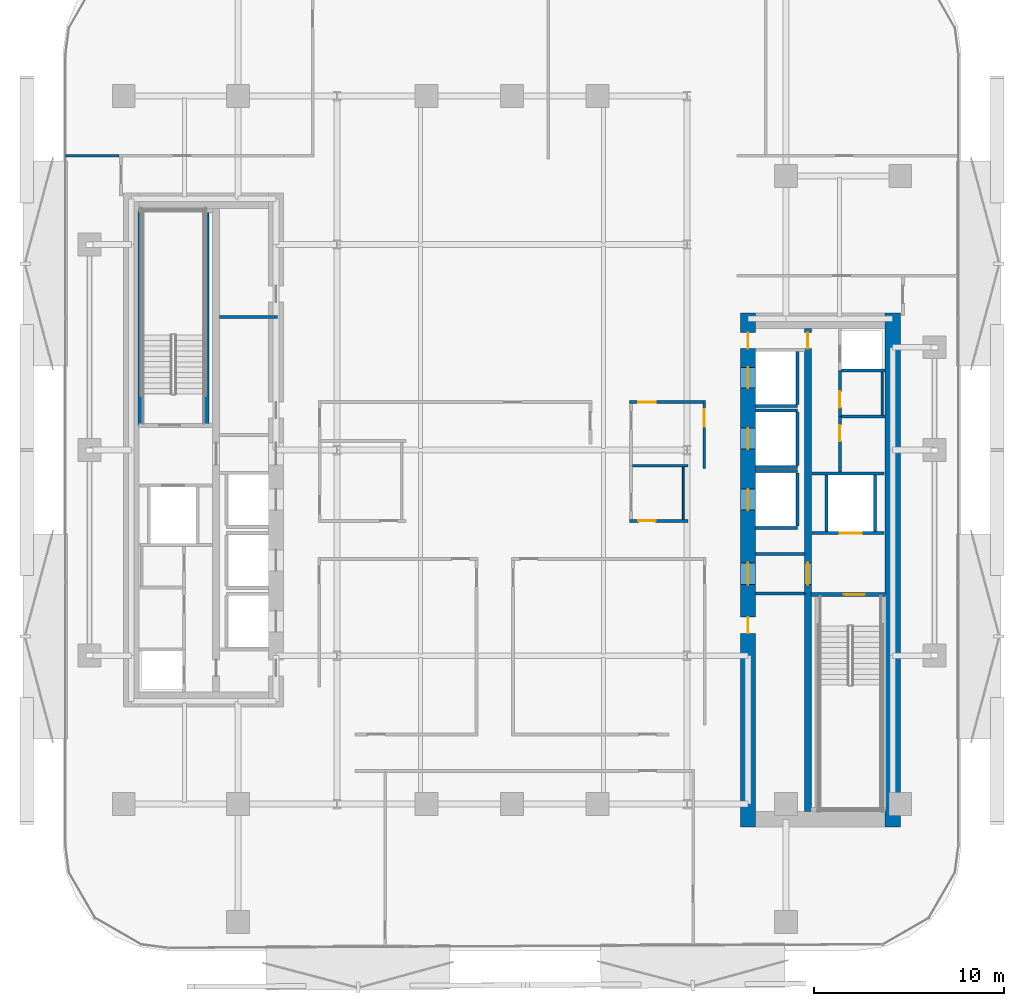
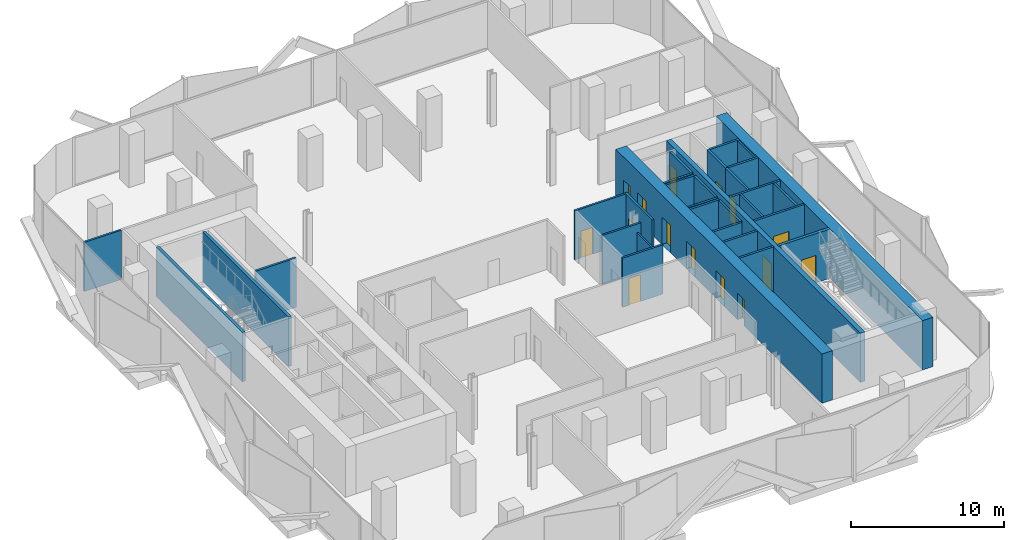
# One storey, part 5 of 15: 32 walls, 15 doors, 15 openings.
"""IFC4 building model written with IfcOpenShell, lengths in metres."""

from ifc_helpers import new_model, si_unit, direction, frame, frame_2d, origin, place, context, subcontext, project, spatial, rectangle, extrude, material, layer, layer_set, type_object, element, fill, save


model = new_model("IFC4")

# Units and contexts
model_context = context("Model", 3, precision=1e-05, world=origin(), true_north=direction((0.0, 1.0)))
body_context = subcontext(model_context, "Body", "Model", "MODEL_VIEW")
ifc_project = project(units=[si_unit("LENGTHUNIT", "METRE"), si_unit("AREAUNIT", "SQUARE_METRE"), si_unit("VOLUMEUNIT", "CUBIC_METRE"), si_unit("PLANEANGLEUNIT", "RADIAN"), si_unit("MASSUNIT", "GRAM", prefix="KILO")], contexts=[model_context])

# Site, building, storey
site_placement = place(None, origin())
site = spatial("IfcSite", under=ifc_project, at=site_placement, CompositionType="ELEMENT")
building_placement = place(site_placement, origin())
building = spatial("IfcBuilding", under=site, at=building_placement, Name="Khairoan Windgate Tower", CompositionType="ELEMENT")
storey_placement = place(building_placement, frame((0.0, 0.0, 126.800048828125)))
storey = spatial("IfcBuildingStorey", under=building, at=storey_placement, Name="L29", CompositionType="ELEMENT", Elevation=126.800048828125)

# Walls
ifc_material_1 = material(Name="Moisture-Resistant Gypsum Partition", Category="gypsum")
ifc_layer_1 = layer(ifc_material_1, 0.10009765625, Name="Moisture-Resistant Gypsum Partition")
ifc_layer_set_1 = layer_set([ifc_layer_1], Name="Moisture-Resistant Gypsum Partition")
wall_type_1 = type_object("IfcWallType", Name="Bathroom Wet-Area Partition Wall", PredefinedType="PARTITIONING", material=ifc_layer_set_1)
wall_1_placement = place(storey_placement, frame((19.449951171875, 4.090087890625, 0.0), z_axis=(0.0, 0.0, 1.0), x_axis=(0.0, -1.0, 0.0)))
element("IfcWall", 1, at=wall_1_placement, inside=storey, type_object=wall_type_1, Name="L29 Wet Room Side Wall 049", PredefinedType="PARTITIONING", context=body_context, shape_type="SweptSolid", body=[
    extrude(rectangle(XDim=2.239990234375, YDim=0.10009765625, at=frame_2d((1.1201171875, 0.0))), origin(), (0.0, 0.0, 1.0), 3.93994140625),
])
wall_2_placement = place(storey_placement, frame((9.0, -0.889892578125, 0.0), z_axis=(0.0, 0.0, 1.0), x_axis=(0.0, -1.0, 0.0)))
element("IfcWall", 2, at=wall_2_placement, inside=storey, type_object=wall_type_1, Name="L29 Wet Room Side Wall 050", PredefinedType="PARTITIONING", context=body_context, shape_type="SweptSolid", body=[
    extrude(rectangle(XDim=2.755126953125, YDim=0.10009765625, at=frame_2d((1.37744140625, 0.0))), origin(), (0.0, 0.0, 1.0), 3.239990234375),
])
ifc_material_2 = material(Name="Concrete C40/50", Category="concrete")
ifc_layer_2 = layer(ifc_material_2, 0.159912109375, Name="Concrete C40/50")
ifc_layer_set_2 = layer_set([ifc_layer_2], Name="Concrete C40/50")
wall_type_2 = type_object("IfcWallType", Name="Core and Hoistway Enclosure Wall", PredefinedType="STANDARD", material=ifc_layer_set_2)
wall_3_placement = place(storey_placement, frame((12.800048828125, 2.31005859375, 0.0), z_axis=(0.0, 0.0, 1.0), x_axis=(1.0, 0.0, 0.0)))
element("IfcWall", 3, at=wall_3_placement, inside=storey, type_object=wall_type_2, Name="L29 Lift PL7 Hoistway Divider S", PredefinedType="STANDARD", context=body_context, shape_type="SweptSolid", body=[
    extrude(rectangle(XDim=2.18994140625, YDim=0.159912109375, at=frame_2d((1.094970703125, 0.0))), origin(), (0.0, 0.0, 1.0), 3.93994140625),
])
wall_4_placement = place(storey_placement, frame((14.989990234375, 2.39990234375, 0.0), z_axis=(0.0, 0.0, 1.0), x_axis=(0.0, 1.0, 0.0)))
element("IfcWall", 4, at=wall_4_placement, inside=storey, type_object=wall_type_2, Name="L29 Lift PL7 Hoistway Back Wall", PredefinedType="STANDARD", context=body_context, shape_type="SweptSolid", body=[
    extrude(rectangle(XDim=2.800048828125, YDim=0.159912109375, at=frame_2d((1.39990234375, 0.0))), origin(), (0.0, 0.0, 1.0), 3.93994140625),
])
for number, where, z_axis, x_axis, name in (
    (5, (12.800048828125, -0.889892578125, 0.0), (0.0, 0.0, 1.0), (1.0, 0.0, 0.0), "L29 Lift PL8 Hoistway Divider S"),
    (6, (12.800048828125, 2.090087890625, 0.0), (0.0, 0.0, 1.0), (1.0, 0.0, 0.0), "L29 Lift PL8 Hoistway Divider N"),
):
    element("IfcWall", number, at=place(storey_placement, frame(where, z_axis=z_axis, x_axis=x_axis)), inside=storey, type_object=wall_type_2, Name=name, PredefinedType="STANDARD", context=body_context, shape_type="SweptSolid", body=[
        extrude(rectangle(XDim=2.18994140625, YDim=0.159912109375, at=frame_2d((1.094970703125, 0.0))), origin(), (0.0, 0.0, 1.0), 3.93994140625),
    ])
wall_5_placement = place(storey_placement, frame((14.989990234375, -0.800048828125, 0.0), z_axis=(0.0, 0.0, 1.0), x_axis=(0.0, 1.0, 0.0)))
element("IfcWall", 7, at=wall_5_placement, inside=storey, type_object=wall_type_2, Name="L29 Lift PL8 Hoistway Back Wall", PredefinedType="STANDARD", context=body_context, shape_type="SweptSolid", body=[
    extrude(rectangle(XDim=2.800048828125, YDim=0.159912109375, at=frame_2d((1.39990234375, 0.0))), origin(), (0.0, 0.0, 1.0), 3.93994140625),
])
for number, where, z_axis, x_axis, name in (
    (8, (12.800048828125, -4.090087890625, 0.0), (0.0, 0.0, 1.0), (1.0, 0.0, 0.0), "L29 Lift PL9 Hoistway Divider S"),
    (9, (12.800048828125, -1.110107421875, 0.0), (0.0, 0.0, 1.0), (1.0, 0.0, 0.0), "L29 Lift PL9 Hoistway Divider N"),
):
    element("IfcWall", number, at=place(storey_placement, frame(where, z_axis=z_axis, x_axis=x_axis)), inside=storey, type_object=wall_type_2, Name=name, PredefinedType="STANDARD", context=body_context, shape_type="SweptSolid", body=[
        extrude(rectangle(XDim=2.18994140625, YDim=0.159912109375, at=frame_2d((1.094970703125, 0.0))), origin(), (0.0, 0.0, 1.0), 3.93994140625),
    ])
wall_6_placement = place(storey_placement, frame((14.989990234375, -4.0, 0.0), z_axis=(0.0, 0.0, 1.0), x_axis=(0.0, 1.0, 0.0)))
element("IfcWall", 10, at=wall_6_placement, inside=storey, type_object=wall_type_2, Name="L29 Lift PL9 Hoistway Back Wall", PredefinedType="STANDARD", context=body_context, shape_type="SweptSolid", body=[
    extrude(rectangle(XDim=2.800048828125, YDim=0.159912109375, at=frame_2d((1.39990234375, 0.0))), origin(), (0.0, 0.0, 1.0), 3.93994140625),
])

# Wall, opening, door
wall_7_placement = place(storey_placement, frame((15.75, -4.360107421875, 0.0), z_axis=(0.0, 0.0, 1.0), x_axis=(1.0, 0.0, 0.0)))
wall_7 = element("IfcWall", 11, at=wall_7_placement, inside=storey, type_object=wall_type_2, Name="L29 Core Shaft Wall SW-FL1-L29", PredefinedType="STANDARD", context=body_context, shape_type="SweptSolid", body=[
    extrude(rectangle(XDim=3.800048828125, YDim=0.159912109375, at=frame_2d((1.89990234375, 0.0))), origin(), (0.0, 0.0, 1.0), 3.93994140625),
])
opening_1_placement = place(wall_7_placement, frame((1.469970703125, 0.0, 0.0)))
opening_1 = element("IfcOpeningElement", 12, at=opening_1_placement, cuts=wall_7, Name="Opening LD-FL", PredefinedType="OPENING", context=body_context, shape_type="SweptSolid", body=[
    extrude(rectangle(XDim=1.14990234375, YDim=2.199951171875, at=frame_2d((0.574951171875, 1.10009765625))), frame((0.0, 0.08984375, 0.0), z_axis=(0.0, -1.0, 0.0), x_axis=(1.0, 0.0, 0.0)), (0.0, 0.0, 1.0), 0.179931640625),
])
ifc_material_3 = material(Name="Steel S355", Category="steel")
door_type_1 = type_object("IfcDoorType", Name="Firefighting Lift Sliding Landing Door LD-FL 1150x2200", OperationType="DOUBLE_DOOR_SLIDING", PredefinedType="DOOR", material=ifc_material_3)
door_1_placement = place(opening_1_placement, origin())
door_1 = element("IfcDoor", 13, at=door_1_placement, inside=storey, type_object=door_type_1, Name="L29 Firefighting Lift FL1 Landing Door", OperationType="DOUBLE_DOOR_SLIDING", OverallHeight=2.199951171875, OverallWidth=1.14990234375, PredefinedType="DOOR", context=body_context, shape_type="SweptSolid", body=[
    extrude(rectangle(XDim=1.14990234375, YDim=2.199951171875, at=frame_2d((0.574951171875, 1.10009765625))), frame((0.0, 0.02490234375, 0.0), z_axis=(0.0, -1.0, 0.0), x_axis=(1.0, 0.0, 0.0)), (0.0, 0.0, 1.0), 0.050048828125),
])
fill(opening_1, door_1)

# Walls
wall_8_placement = place(storey_placement, frame((15.75, -1.219970703125, 0.0), z_axis=(0.0, 0.0, 1.0), x_axis=(1.0, 0.0, 0.0)))
element("IfcWall", 14, at=wall_8_placement, inside=storey, type_object=wall_type_2, Name="L29 Core Shaft Wall SW-FL1T-L29", PredefinedType="STANDARD", context=body_context, shape_type="SweptSolid", body=[
    extrude(rectangle(XDim=3.800048828125, YDim=0.159912109375, at=frame_2d((1.89990234375, 0.0))), origin(), (0.0, 0.0, 1.0), 3.93994140625),
])
for number, where, z_axis, x_axis, name in (
    (15, (16.52001953125, -4.280029296875, 0.0), (0.0, 0.0, 1.0), (0.0, 1.0, 0.0), "L29 Core Shaft Wall SW-FL1W-L29"),
    (16, (19.080078125, -4.280029296875, 0.0), (0.0, 0.0, 1.0), (0.0, 1.0, 0.0), "L29 Core Shaft Wall SW-FL1E-L29"),
):
    element("IfcWall", number, at=place(storey_placement, frame(where, z_axis=z_axis, x_axis=x_axis)), inside=storey, type_object=wall_type_2, Name=name, PredefinedType="STANDARD", context=body_context, shape_type="SweptSolid", body=[
        extrude(rectangle(XDim=2.97998046875, YDim=0.159912109375, at=frame_2d((1.489990234375, 0.0))), origin(), (0.0, 0.0, 1.0), 3.93994140625),
    ])
for number, where, z_axis, x_axis, name in (
    (17, (12.800048828125, -5.449951171875, 0.0), (0.0, 0.0, 1.0), (1.0, 0.0, 0.0), "L29 Core Shaft Wall SW-EV1-L29"),
    (18, (12.800048828125, -7.5400390625, 0.0), (0.0, 0.0, 1.0), (1.0, 0.0, 0.0), "L29 Core Shaft Wall SW-EV2-L29"),
):
    element("IfcWall", number, at=place(storey_placement, frame(where, z_axis=z_axis, x_axis=x_axis)), inside=storey, type_object=wall_type_2, Name=name, PredefinedType="STANDARD", context=body_context, shape_type="SweptSolid", body=[
        extrude(rectangle(XDim=2.599853515625, YDim=0.159912109375, at=frame_2d((1.2998046875, 0.0))), origin(), (0.0, 0.0, 1.0), 3.93994140625),
    ])
ifc_material_4 = material(Name="Acoustic Fire-Rated Gypsum Partition", Category="gypsum")
ifc_layer_3 = layer(ifc_material_4, 0.139892578125, Name="Acoustic Fire-Rated Gypsum Partition")
ifc_layer_set_3 = layer_set([ifc_layer_3], Name="Acoustic Fire-Rated Gypsum Partition")
wall_type_3 = type_object("IfcWallType", Name="Inter-Tenancy Compartment Wall", PredefinedType="PARTITIONING", material=ifc_layer_set_3)
wall_9_placement = place(storey_placement, frame((-23.455078125, 15.4599609375, 0.0), z_axis=(0.0, 0.0, 1.0), x_axis=(1.0, 0.0, 0.0)))
element("IfcWall", 19, at=wall_9_placement, inside=storey, type_object=wall_type_3, Name="L29 Interior Partition 037", PredefinedType="PARTITIONING", context=body_context, shape_type="SweptSolid", body=[
    extrude(rectangle(XDim=2.815185546875, YDim=0.139892578125, at=frame_2d((1.40771484375, 0.0))), origin(), (0.0, 0.0, 1.0), 3.93994140625),
])
wall_10_placement = place(storey_placement, frame((6.330078125, -0.820068359375, 0.0), z_axis=(0.0, 0.0, 1.0), x_axis=(1.0, 0.0, 0.0)))
element("IfcWall", 20, at=wall_10_placement, inside=storey, type_object=wall_type_3, Name="L29 Interior Partition 046", PredefinedType="PARTITIONING", context=body_context, shape_type="SweptSolid", body=[
    extrude(rectangle(XDim=2.909912109375, YDim=0.139892578125, at=frame_2d((1.455078125, 0.0))), origin(), (0.0, 0.0, 1.0), 3.93994140625),
])
ifc_material_5 = material(Name="Concrete C40/50", Category="concrete")
ifc_layer_4 = layer(ifc_material_5, 0.159912109375, Name="Concrete C40/50")
ifc_layer_set_4 = layer_set([ifc_layer_4], Name="Concrete C40/50")
wall_type_4 = type_object("IfcWallType", Name="Plant and Refuge Compartment Wall", PredefinedType="PARTITIONING", material=ifc_layer_set_4)
wall_11_placement = place(storey_placement, frame((-15.375, 7.0, 0.0), z_axis=(0.0, 0.0, 1.0), x_axis=(1.0, 0.0, 0.0)))
element("IfcWall", 21, at=wall_11_placement, inside=storey, type_object=wall_type_4, Name="L29 Interior Partition 006", PredefinedType="PARTITIONING", context=body_context, shape_type="SweptSolid", body=[
    extrude(rectangle(XDim=3.06494140625, YDim=0.159912109375, at=frame_2d((1.532470703125, 0.0))), origin(), (0.0, 0.0, 1.0), 3.93994140625),
])

# Wall, opening, door
wall_12_placement = place(storey_placement, frame((17.22998046875, 1.77001953125, 0.0), z_axis=(0.0, 0.0, 1.0), x_axis=(0.0, 1.0, 0.0)))
wall_12 = element("IfcWall", 22, at=wall_12_placement, inside=storey, type_object=wall_type_4, Name="L29 Interior Partition 008", PredefinedType="PARTITIONING", context=body_context, shape_type="SweptSolid", body=[
    extrude(rectangle(XDim=2.39990234375, YDim=0.159912109375, at=frame_2d((1.199951171875, 0.0))), origin(), (0.0, 0.0, 1.0), 3.93994140625),
])
opening_2_placement = place(wall_12_placement, frame((0.4599609375, 0.0, 0.0)))
opening_2 = element("IfcOpeningElement", 23, at=opening_2_placement, cuts=wall_12, Name="Opening FD-SRV", PredefinedType="OPENING", context=body_context, shape_type="SweptSolid", body=[
    extrude(rectangle(XDim=0.85009765625, YDim=2.10009765625, at=frame_2d((0.425048828125, 1.050048828125))), frame((0.0, 0.08984375, 0.0), z_axis=(0.0, -1.0, 0.0), x_axis=(1.0, 0.0, 0.0)), (0.0, 0.0, 1.0), 0.179931640625),
])
ifc_material_6 = material(Name="Steel S355", Category="steel")
door_type_2 = type_object("IfcDoorType", Name="Core Service and Riser Fire Door FD-SRV 850x2100", OperationType="NOTDEFINED", PredefinedType="DOOR", material=ifc_material_6)
door_2_placement = place(opening_2_placement, origin())
door_2 = element("IfcDoor", 24, at=door_2_placement, inside=storey, type_object=door_type_2, Name="L29 L29-18-L29-20 Door", OperationType="SINGLE_SWING_LEFT", OverallHeight=2.10009765625, OverallWidth=0.85009765625, PredefinedType="DOOR", context=body_context, shape_type="SweptSolid", body=[
    extrude(rectangle(XDim=0.85009765625, YDim=2.10009765625, at=frame_2d((0.425048828125, 1.050048828125))), frame((0.0, 0.02490234375, 0.0), z_axis=(0.0, -1.0, 0.0), x_axis=(1.0, 0.0, 0.0)), (0.0, 0.0, 1.0), 0.050048828125),
])
fill(opening_2, door_2)

wall_13_placement = place(storey_placement, frame((17.22998046875, -1.139892578125, 0.0), z_axis=(0.0, 0.0, 1.0), x_axis=(0.0, 1.0, 0.0)))
wall_13 = element("IfcWall", 25, at=wall_13_placement, inside=storey, type_object=wall_type_4, Name="L29 Interior Partition 009", PredefinedType="PARTITIONING", context=body_context, shape_type="SweptSolid", body=[
    extrude(rectangle(XDim=2.909912109375, YDim=0.159912109375, at=frame_2d((1.455078125, 0.0))), origin(), (0.0, 0.0, 1.0), 3.93994140625),
])
opening_3_placement = place(wall_13_placement, frame((1.60009765625, 0.0, 0.0)))
opening_3 = element("IfcOpeningElement", 26, at=opening_3_placement, cuts=wall_13, Name="Opening FD-SRV", PredefinedType="OPENING", context=body_context, shape_type="SweptSolid", body=[
    extrude(rectangle(XDim=0.85009765625, YDim=2.10009765625, at=frame_2d((0.425048828125, 1.050048828125))), frame((0.0, 0.08984375, 0.0), z_axis=(0.0, -1.0, 0.0), x_axis=(1.0, 0.0, 0.0)), (0.0, 0.0, 1.0), 0.179931640625),
])
door_3_placement = place(opening_3_placement, origin())
door_3 = element("IfcDoor", 27, at=door_3_placement, inside=storey, type_object=door_type_2, Name="L29 L29-18-L29-21 Door", OperationType="SINGLE_SWING_RIGHT", OverallHeight=2.10009765625, OverallWidth=0.85009765625, PredefinedType="DOOR", context=body_context, shape_type="SweptSolid", body=[
    extrude(rectangle(XDim=0.85009765625, YDim=2.10009765625, at=frame_2d((0.425048828125, 1.050048828125))), frame((0.0, 0.02490234375, 0.0), z_axis=(0.0, -1.0, 0.0), x_axis=(1.0, 0.0, 0.0)), (0.0, 0.0, 1.0), 0.050048828125),
])
fill(opening_3, door_3)

# Walls
for number, where, z_axis, x_axis, name in (
    (28, (17.31005859375, 4.169921875, 0.0), (0.0, 0.0, 1.0), (1.0, 0.0, 0.0), "L29 Interior Partition 010"),
    (29, (17.31005859375, 1.77001953125, 0.0), (0.0, 0.0, 1.0), (1.0, 0.0, 0.0), "L29 Interior Partition 011"),
):
    element("IfcWall", number, at=place(storey_placement, frame(where, z_axis=z_axis, x_axis=x_axis)), inside=storey, type_object=wall_type_4, Name=name, PredefinedType="PARTITIONING", context=body_context, shape_type="SweptSolid", body=[
        extrude(rectangle(XDim=2.2900390625, YDim=0.159912109375, at=frame_2d((1.14501953125, 0.0))), origin(), (0.0, 0.0, 1.0), 3.93994140625),
    ])

# Wall, opening, door
ifc_material_7 = material(Name="Acoustic Fire-Rated Gypsum Partition", Category="gypsum")
ifc_layer_5 = layer(ifc_material_7, 0.14990234375, Name="Acoustic Fire-Rated Gypsum Partition")
ifc_layer_set_5 = layer_set([ifc_layer_5], Name="Acoustic Fire-Rated Gypsum Partition")
wall_type_5 = type_object("IfcWallType", Name="Rated Corridor Partition Wall", PredefinedType="PARTITIONING", material=ifc_layer_set_5)
wall_14_placement = place(storey_placement, frame((10.10009765625, -0.97998046875, 0.0), z_axis=(0.0, 0.0, 1.0), x_axis=(0.0, 1.0, 0.0)))
wall_14 = element("IfcWall", 30, at=wall_14_placement, inside=storey, type_object=wall_type_5, Name="L29 Interior Partition 016", PredefinedType="PARTITIONING", context=body_context, shape_type="SweptSolid", body=[
    extrude(rectangle(XDim=3.574951171875, YDim=0.14990234375, at=frame_2d((1.78759765625, 0.0))), origin(), (0.0, 0.0, 1.0), 3.93994140625),
])
opening_4_placement = place(wall_14_placement, frame((2.215087890625, 0.0, 0.0)))
opening_4 = element("IfcOpeningElement", 31, at=opening_4_placement, cuts=wall_14, Name="Opening FD-ENT", PredefinedType="OPENING", context=body_context, shape_type="SweptSolid", body=[
    extrude(rectangle(XDim=0.89990234375, YDim=2.14990234375, at=frame_2d((0.449951171875, 1.074951171875))), frame((0.0, 0.0849609375, 0.0), z_axis=(0.0, -1.0, 0.0), x_axis=(1.0, 0.0, 0.0)), (0.0, 0.0, 1.0), 0.169921875),
])
ifc_material_8 = material(Name="Timber Fire-Rated Core", Category="wood")
door_type_3 = type_object("IfcDoorType", Name="Unit and Office Fire Entrance Door FD-ENT 900x2150", OperationType="NOTDEFINED", PredefinedType="DOOR", material=ifc_material_8)
door_4_placement = place(opening_4_placement, origin())
door_4 = element("IfcDoor", 32, at=door_4_placement, inside=storey, type_object=door_type_3, Name="L29 L29-29-L29-48 Door", OperationType="SINGLE_SWING_LEFT", OverallHeight=2.14990234375, OverallWidth=0.89990234375, PredefinedType="DOOR", context=body_context, shape_type="SweptSolid", body=[
    extrude(rectangle(XDim=0.89990234375, YDim=2.14990234375, at=frame_2d((0.449951171875, 1.074951171875))), frame((0.0, 0.02490234375, 0.0), z_axis=(0.0, -1.0, 0.0), x_axis=(1.0, 0.0, 0.0)), (0.0, 0.0, 1.0), 0.050048828125),
])
fill(opening_4, door_4)

wall_15_placement = place(storey_placement, frame((6.179931640625, 2.52001953125, 0.0), z_axis=(0.0, 0.0, 1.0), x_axis=(1.0, 0.0, 0.0)))
wall_15 = element("IfcWall", 33, at=wall_15_placement, inside=storey, type_object=wall_type_5, Name="L29 Interior Partition 018", PredefinedType="PARTITIONING", context=body_context, shape_type="SweptSolid", body=[
    extrude(rectangle(XDim=3.844970703125, YDim=0.14990234375, at=frame_2d((1.92236328125, 0.0))), origin(), (0.0, 0.0, 1.0), 3.93994140625),
])
opening_5_placement = place(wall_15_placement, frame((0.4599609375, 0.0, 0.0)))
opening_5 = element("IfcOpeningElement", 34, at=opening_5_placement, cuts=wall_15, Name="Opening FD-ENT", PredefinedType="OPENING", context=body_context, shape_type="SweptSolid", body=[
    extrude(rectangle(XDim=0.89990234375, YDim=2.14990234375, at=frame_2d((0.449951171875, 1.074951171875))), frame((0.0, 0.0849609375, 0.0), z_axis=(0.0, -1.0, 0.0), x_axis=(1.0, 0.0, 0.0)), (0.0, 0.0, 1.0), 0.169921875),
])
door_5_placement = place(opening_5_placement, origin())
door_5 = element("IfcDoor", 35, at=door_5_placement, inside=storey, type_object=door_type_3, Name="L29 L29-30-L29-48 Door", OperationType="SINGLE_SWING_LEFT", OverallHeight=2.14990234375, OverallWidth=0.89990234375, PredefinedType="DOOR", context=body_context, shape_type="SweptSolid", body=[
    extrude(rectangle(XDim=0.89990234375, YDim=2.14990234375, at=frame_2d((0.449951171875, 1.074951171875))), frame((0.0, 0.02490234375, 0.0), z_axis=(0.0, -1.0, 0.0), x_axis=(1.0, 0.0, 0.0)), (0.0, 0.0, 1.0), 0.050048828125),
])
fill(opening_5, door_5)

wall_16_placement = place(storey_placement, frame((6.179931640625, -3.719970703125, 0.0), z_axis=(0.0, 0.0, 1.0), x_axis=(1.0, 0.0, 0.0)))
wall_16 = element("IfcWall", 36, at=wall_16_placement, inside=storey, type_object=wall_type_5, Name="L29 Interior Partition 020", PredefinedType="PARTITIONING", context=body_context, shape_type="SweptSolid", body=[
    extrude(rectangle(XDim=3.06005859375, YDim=0.14990234375, at=frame_2d((1.530029296875, 0.0))), origin(), (0.0, 0.0, 1.0), 3.93994140625),
])
opening_6_placement = place(wall_16_placement, frame((0.4599609375, 0.0, 0.0)))
opening_6 = element("IfcOpeningElement", 37, at=opening_6_placement, cuts=wall_16, Name="Opening FD-ENT", PredefinedType="OPENING", context=body_context, shape_type="SweptSolid", body=[
    extrude(rectangle(XDim=0.89990234375, YDim=2.14990234375, at=frame_2d((0.449951171875, 1.074951171875))), frame((0.0, 0.0849609375, 0.0), z_axis=(0.0, -1.0, 0.0), x_axis=(1.0, 0.0, 0.0)), (0.0, 0.0, 1.0), 0.169921875),
])
door_6_placement = place(opening_6_placement, origin())
door_6 = element("IfcDoor", 38, at=door_6_placement, inside=storey, type_object=door_type_3, Name="L29 L29-31-L29-47 Door", OperationType="SINGLE_SWING_LEFT", OverallHeight=2.14990234375, OverallWidth=0.89990234375, PredefinedType="DOOR", context=body_context, shape_type="SweptSolid", body=[
    extrude(rectangle(XDim=0.89990234375, YDim=2.14990234375, at=frame_2d((0.449951171875, 1.074951171875))), frame((0.0, 0.02490234375, 0.0), z_axis=(0.0, -1.0, 0.0), x_axis=(1.0, 0.0, 0.0)), (0.0, 0.0, 1.0), 0.050048828125),
])
fill(opening_6, door_6)

# Wall, openings, doors
ifc_material_9 = material(Name="Concrete C70/85", Category="concrete")
ifc_layer_6 = layer(ifc_material_9, 0.800048828125, Name="Concrete C70/85")
ifc_layer_set_6 = layer_set([ifc_layer_6], Name="Concrete C70/85")
wall_type_6 = type_object("IfcWallType", Name="Shear Wall CW-E1 800mm", PredefinedType="SHEAR", material=ifc_layer_set_6)
wall_17_placement = place(storey_placement, frame((12.39990234375, -19.800048828125, 0.0), z_axis=(0.0, 0.0, 1.0), x_axis=(0.0, 1.0, 0.0)))
wall_17 = element("IfcWall", 39, at=wall_17_placement, inside=storey, type_object=wall_type_6, Name="E Core West Shear Wall L29", PredefinedType="SHEAR", context=body_context, shape_type="SweptSolid", body=[
    extrude(rectangle(XDim=27.0, YDim=0.800048828125, at=frame_2d((13.5, 0.0))), origin(), (0.0, 0.0, 1.0), 3.93994140625),
])
opening_7_placement = place(wall_17_placement, frame((23.050048828125, 0.0, 0.0)))
opening_7 = element("IfcOpeningElement", 40, at=opening_7_placement, cuts=wall_17, Name="Opening LD-PL", PredefinedType="OPENING", context=body_context, shape_type="SweptSolid", body=[
    extrude(rectangle(XDim=1.10009765625, YDim=2.199951171875, at=frame_2d((0.550048828125, 1.10009765625))), frame((0.0, 0.409912109375, 0.0), z_axis=(0.0, -1.0, 0.0), x_axis=(1.0, 0.0, 0.0)), (0.0, 0.0, 1.0), 0.820068359375),
])
opening_8_placement = place(wall_17_placement, frame((19.85009765625, 0.0, 0.0)))
opening_8 = element("IfcOpeningElement", 41, at=opening_8_placement, cuts=wall_17, Name="Opening LD-PL", PredefinedType="OPENING", context=body_context, shape_type="SweptSolid", body=[
    extrude(rectangle(XDim=1.10009765625, YDim=2.199951171875, at=frame_2d((0.550048828125, 1.10009765625))), frame((0.0, 0.409912109375, 0.0), z_axis=(0.0, -1.0, 0.0), x_axis=(1.0, 0.0, 0.0)), (0.0, 0.0, 1.0), 0.820068359375),
])
opening_9_placement = place(wall_17_placement, frame((16.64990234375, 0.0, 0.0)))
opening_9 = element("IfcOpeningElement", 42, at=opening_9_placement, cuts=wall_17, Name="Opening LD-PL", PredefinedType="OPENING", context=body_context, shape_type="SweptSolid", body=[
    extrude(rectangle(XDim=1.10009765625, YDim=2.199951171875, at=frame_2d((0.550048828125, 1.10009765625))), frame((0.0, 0.409912109375, 0.0), z_axis=(0.0, -1.0, 0.0), x_axis=(1.0, 0.0, 0.0)), (0.0, 0.0, 1.0), 0.820068359375),
])
opening_10_placement = place(wall_17_placement, frame((10.175048828125, 0.0, 0.0)))
opening_10 = element("IfcOpeningElement", 43, at=opening_10_placement, cuts=wall_17, Name="Opening FD-SRV", PredefinedType="OPENING", context=body_context, shape_type="SweptSolid", body=[
    extrude(rectangle(XDim=0.85009765625, YDim=2.10009765625, at=frame_2d((0.425048828125, 1.050048828125))), frame((0.0, 0.409912109375, 0.0), z_axis=(0.0, -1.0, 0.0), x_axis=(1.0, 0.0, 0.0)), (0.0, 0.0, 1.0), 0.820068359375),
])
opening_11_placement = place(wall_17_placement, frame((12.72509765625, 0.0, 0.0)))
opening_11 = element("IfcOpeningElement", 44, at=opening_11_placement, cuts=wall_17, Name="Opening FD-FFL", PredefinedType="OPENING", context=body_context, shape_type="SweptSolid", body=[
    extrude(rectangle(XDim=1.14990234375, YDim=2.199951171875, at=frame_2d((0.574951171875, 1.10009765625))), frame((0.0, 0.409912109375, 0.0), z_axis=(0.0, -1.0, 0.0), x_axis=(1.0, 0.0, 0.0)), (0.0, 0.0, 1.0), 0.820068359375),
])
opening_12_placement = place(wall_17_placement, frame((25.125, 0.0, 0.0)))
opening_12 = element("IfcOpeningElement", 45, at=opening_12_placement, cuts=wall_17, Name="Opening FD-SRV", PredefinedType="OPENING", context=body_context, shape_type="SweptSolid", body=[
    extrude(rectangle(XDim=0.85009765625, YDim=2.10009765625, at=frame_2d((0.425048828125, 1.050048828125))), frame((0.0, 0.409912109375, 0.0), z_axis=(0.0, -1.0, 0.0), x_axis=(1.0, 0.0, 0.0)), (0.0, 0.0, 1.0), 0.820068359375),
])
door_7_placement = place(opening_10_placement, origin())
door_7 = element("IfcDoor", 46, at=door_7_placement, inside=storey, type_object=door_type_2, Name="L29 East Core Service Room Door 1", OperationType="SINGLE_SWING_RIGHT", OverallHeight=2.10009765625, OverallWidth=0.85009765625, PredefinedType="DOOR", context=body_context, shape_type="SweptSolid", body=[
    extrude(rectangle(XDim=0.85009765625, YDim=2.10009765625, at=frame_2d((0.425048828125, 1.050048828125))), frame((0.0, 0.02490234375, 0.0), z_axis=(0.0, -1.0, 0.0), x_axis=(1.0, 0.0, 0.0)), (0.0, 0.0, 1.0), 0.050048828125),
])
fill(opening_10, door_7)
door_8_placement = place(opening_12_placement, origin())
door_8 = element("IfcDoor", 47, at=door_8_placement, inside=storey, type_object=door_type_2, Name="L29 East Core Service Vestibule Outer Door", OperationType="SINGLE_SWING_LEFT", OverallHeight=2.10009765625, OverallWidth=0.85009765625, PredefinedType="DOOR", context=body_context, shape_type="SweptSolid", body=[
    extrude(rectangle(XDim=0.85009765625, YDim=2.10009765625, at=frame_2d((0.425048828125, 1.050048828125))), frame((0.0, 0.02490234375, 0.0), z_axis=(0.0, -1.0, 0.0), x_axis=(1.0, 0.0, 0.0)), (0.0, 0.0, 1.0), 0.050048828125),
])
fill(opening_12, door_8)
ifc_material_10 = material(Name="Steel S355", Category="steel")
door_type_4 = type_object("IfcDoorType", Name="Firefighting Lobby Fire Door FD-FFL 1150x2200", OperationType="NOTDEFINED", PredefinedType="DOOR", material=ifc_material_10)
door_9_placement = place(opening_11_placement, origin())
door_9 = element("IfcDoor", 48, at=door_9_placement, inside=storey, type_object=door_type_4, Name="L29 East Core Vestibule Entry Door", OperationType="SINGLE_SWING_LEFT", OverallHeight=2.199951171875, OverallWidth=1.14990234375, PredefinedType="DOOR", context=body_context, shape_type="SweptSolid", body=[
    extrude(rectangle(XDim=1.14990234375, YDim=2.199951171875, at=frame_2d((0.574951171875, 1.10009765625))), frame((0.0, 0.02490234375, 0.0), z_axis=(0.0, -1.0, 0.0), x_axis=(1.0, 0.0, 0.0)), (0.0, 0.0, 1.0), 0.050048828125),
])
fill(opening_11, door_9)
ifc_material_11 = material(Name="Anodised Bronze Aluminium 6063-T6", Category="aluminium")
door_type_5 = type_object("IfcDoorType", Name="Passenger Lift Sliding Landing Door LD-PL 1100x2200", OperationType="DOUBLE_DOOR_SLIDING", PredefinedType="DOOR", material=ifc_material_11)
door_10_placement = place(opening_7_placement, origin())
door_10 = element("IfcDoor", 49, at=door_10_placement, inside=storey, type_object=door_type_5, Name="L29 Lift PL7 Sliding Landing Door", OperationType="DOUBLE_DOOR_SLIDING", OverallHeight=2.199951171875, OverallWidth=1.10009765625, PredefinedType="DOOR", context=body_context, shape_type="SweptSolid", body=[
    extrude(rectangle(XDim=1.10009765625, YDim=2.199951171875, at=frame_2d((0.550048828125, 1.10009765625))), frame((0.0, 0.02490234375, 0.0), z_axis=(0.0, -1.0, 0.0), x_axis=(1.0, 0.0, 0.0)), (0.0, 0.0, 1.0), 0.050048828125),
])
fill(opening_7, door_10)
door_11_placement = place(opening_8_placement, origin())
door_11 = element("IfcDoor", 50, at=door_11_placement, inside=storey, type_object=door_type_5, Name="L29 Lift PL8 Sliding Landing Door", OperationType="DOUBLE_DOOR_SLIDING", OverallHeight=2.199951171875, OverallWidth=1.10009765625, PredefinedType="DOOR", context=body_context, shape_type="SweptSolid", body=[
    extrude(rectangle(XDim=1.10009765625, YDim=2.199951171875, at=frame_2d((0.550048828125, 1.10009765625))), frame((0.0, 0.02490234375, 0.0), z_axis=(0.0, -1.0, 0.0), x_axis=(1.0, 0.0, 0.0)), (0.0, 0.0, 1.0), 0.050048828125),
])
fill(opening_8, door_11)
door_12_placement = place(opening_9_placement, origin())
door_12 = element("IfcDoor", 51, at=door_12_placement, inside=storey, type_object=door_type_5, Name="L29 Lift PL9 Sliding Landing Door", OperationType="DOUBLE_DOOR_SLIDING", OverallHeight=2.199951171875, OverallWidth=1.10009765625, PredefinedType="DOOR", context=body_context, shape_type="SweptSolid", body=[
    extrude(rectangle(XDim=1.10009765625, YDim=2.199951171875, at=frame_2d((0.550048828125, 1.10009765625))), frame((0.0, 0.02490234375, 0.0), z_axis=(0.0, -1.0, 0.0), x_axis=(1.0, 0.0, 0.0)), (0.0, 0.0, 1.0), 0.050048828125),
])
fill(opening_9, door_12)

# Wall
wall_18_placement = place(storey_placement, frame((20.0, -19.800048828125, 0.0), z_axis=(0.0, 0.0, 1.0), x_axis=(0.0, 1.0, 0.0)))
element("IfcWall", 52, at=wall_18_placement, inside=storey, type_object=wall_type_6, Name="E Core East Shear Wall L29", PredefinedType="SHEAR", context=body_context, shape_type="SweptSolid", body=[
    extrude(rectangle(XDim=27.0, YDim=0.800048828125, at=frame_2d((13.5, 0.0))), origin(), (0.0, 0.0, 1.0), 3.93994140625),
])

# Wall, openings, doors
ifc_material_12 = material(Name="Concrete C60/75", Category="concrete")
ifc_layer_7 = layer(ifc_material_12, 0.35009765625, Name="Concrete C60/75")
ifc_layer_set_7 = layer_set([ifc_layer_7], Name="Concrete C60/75")
wall_type_7 = type_object("IfcWallType", Name="Shear Wall SW-1 350mm", PredefinedType="SHEAR", material=ifc_layer_set_7)
wall_19_placement = place(storey_placement, frame((15.550048828125, -19.0, 0.0), z_axis=(0.0, 0.0, 1.0), x_axis=(0.0, 1.0, 0.0)))
wall_19 = element("IfcWall", 53, at=wall_19_placement, inside=storey, type_object=wall_type_7, Name="E Core Spine Shear Wall L29", PredefinedType="SHEAR", context=body_context, shape_type="SweptSolid", body=[
    extrude(rectangle(XDim=25.39990234375, YDim=0.35009765625, at=frame_2d((12.699951171875, 0.0))), origin(), (0.0, 0.0, 1.0), 3.93994140625),
])
opening_13_placement = place(wall_19_placement, frame((11.925048828125, 0.0, 0.0)))
opening_13 = element("IfcOpeningElement", 54, at=opening_13_placement, cuts=wall_19, Name="Opening FD-FFL", PredefinedType="OPENING", context=body_context, shape_type="SweptSolid", body=[
    extrude(rectangle(XDim=1.14990234375, YDim=2.199951171875, at=frame_2d((0.574951171875, 1.10009765625))), frame((0.0, 0.18505859375, 0.0), z_axis=(0.0, -1.0, 0.0), x_axis=(1.0, 0.0, 0.0)), (0.0, 0.0, 1.0), 0.3701171875),
])
opening_14_placement = place(wall_19_placement, frame((24.324951171875, 0.0, 0.0)))
opening_14 = element("IfcOpeningElement", 55, at=opening_14_placement, cuts=wall_19, Name="Opening FD-SRV", PredefinedType="OPENING", context=body_context, shape_type="SweptSolid", body=[
    extrude(rectangle(XDim=0.85009765625, YDim=2.10009765625, at=frame_2d((0.425048828125, 1.050048828125))), frame((0.0, 0.18505859375, 0.0), z_axis=(0.0, -1.0, 0.0), x_axis=(1.0, 0.0, 0.0)), (0.0, 0.0, 1.0), 0.3701171875),
])
door_13_placement = place(opening_14_placement, origin())
door_13 = element("IfcDoor", 56, at=door_13_placement, inside=storey, type_object=door_type_2, Name="L29 East Core Service Passage Inner Door", OperationType="SINGLE_SWING_RIGHT", OverallHeight=2.10009765625, OverallWidth=0.85009765625, PredefinedType="DOOR", context=body_context, shape_type="SweptSolid", body=[
    extrude(rectangle(XDim=0.85009765625, YDim=2.10009765625, at=frame_2d((0.425048828125, 1.050048828125))), frame((0.0, 0.02490234375, 0.0), z_axis=(0.0, -1.0, 0.0), x_axis=(1.0, 0.0, 0.0)), (0.0, 0.0, 1.0), 0.050048828125),
])
fill(opening_14, door_13)
door_14_placement = place(opening_13_placement, origin())
door_14 = element("IfcDoor", 57, at=door_14_placement, inside=storey, type_object=door_type_4, Name="L29 East Firefighting Lobby Fire Door", OperationType="SINGLE_SWING_RIGHT", OverallHeight=2.199951171875, OverallWidth=1.14990234375, PredefinedType="DOOR", context=body_context, shape_type="SweptSolid", body=[
    extrude(rectangle(XDim=1.14990234375, YDim=2.199951171875, at=frame_2d((0.574951171875, 1.10009765625))), frame((0.0, 0.02490234375, 0.0), z_axis=(0.0, -1.0, 0.0), x_axis=(1.0, 0.0, 0.0)), (0.0, 0.0, 1.0), 0.050048828125),
])
fill(opening_13, door_14)

# Wall, opening, door
ifc_material_13 = material(Name="Concrete C50/60", Category="concrete")
ifc_layer_8 = layer(ifc_material_13, 0.219970703125, Name="Concrete C50/60")
ifc_layer_set_8 = layer_set([ifc_layer_8], Name="Concrete C50/60")
wall_type_8 = type_object("IfcWallType", Name="Shear Wall SW-ST 220mm", PredefinedType="SHEAR", material=ifc_layer_set_8)
wall_20_placement = place(storey_placement, frame((19.6201171875, -7.590087890625, 0.0), z_axis=(0.0, 0.0, 1.0), x_axis=(-1.0, 0.0, 0.0)))
wall_20 = element("IfcWall", 58, at=wall_20_placement, inside=storey, type_object=wall_type_8, Name="L29 Stair ST1 North Bearing Wall", PredefinedType="SHEAR", context=body_context, shape_type="SweptSolid", body=[
    extrude(rectangle(XDim=3.9150390625, YDim=0.219970703125, at=frame_2d((1.95751953125, 0.0))), origin(), (0.0, 0.0, 1.0), 3.93994140625),
])
opening_15_placement = place(wall_20_placement, frame((1.080078125, 0.0, 0.0)))
opening_15 = element("IfcOpeningElement", 59, at=opening_15_placement, cuts=wall_20, Name="Opening FD-ST", PredefinedType="OPENING", context=body_context, shape_type="SweptSolid", body=[
    extrude(rectangle(XDim=1.10009765625, YDim=2.199951171875, at=frame_2d((0.550048828125, 1.10009765625))), frame((0.0, 0.119873046875, 0.0), z_axis=(0.0, -1.0, 0.0), x_axis=(1.0, 0.0, 0.0)), (0.0, 0.0, 1.0), 0.239990234375),
])
ifc_material_14 = material(Name="Steel S355", Category="steel")
door_type_6 = type_object("IfcDoorType", Name="Smokeproof Stair Fire Door FD-ST 1100x2200", OperationType="NOTDEFINED", PredefinedType="DOOR", material=ifc_material_14)
door_15_placement = place(opening_15_placement, origin())
door_15 = element("IfcDoor", 60, at=door_15_placement, inside=storey, type_object=door_type_6, Name="L29 Stair ST1 Fire Door", OperationType="SINGLE_SWING_RIGHT", OverallHeight=2.199951171875, OverallWidth=1.10009765625, PredefinedType="DOOR", context=body_context, shape_type="SweptSolid", body=[
    extrude(rectangle(XDim=1.10009765625, YDim=2.199951171875, at=frame_2d((0.550048828125, 1.10009765625))), frame((0.0, 0.02490234375, 0.0), z_axis=(0.0, -1.0, 0.0), x_axis=(1.0, 0.0, 0.0)), (0.0, 0.0, 1.0), 0.050048828125),
])
fill(opening_15, door_15)

# Walls
for number, where, z_axis, x_axis, name in (
    (61, (-16.0400390625, 1.2900390625, 0.0), (0.0, 0.0, 1.0), (0.0, 1.0, 0.0), "L29 Stair ST2 East Bearing Wall"),
    (62, (-19.530029296875, 1.2900390625, 0.0), (0.0, 0.0, 1.0), (0.0, 1.0, 0.0), "L29 Stair ST2 West Bearing Wall"),
):
    element("IfcWall", number, at=place(storey_placement, frame(where, z_axis=z_axis, x_axis=x_axis)), inside=storey, type_object=wall_type_8, Name=name, PredefinedType="SHEAR", context=body_context, shape_type="SweptSolid", body=[
        extrude(rectangle(XDim=11.300048828125, YDim=0.219970703125, at=frame_2d((5.64990234375, 0.0))), origin(), (0.0, 0.0, 1.0), 3.93994140625),
    ])

save(model, "model.ifc")
